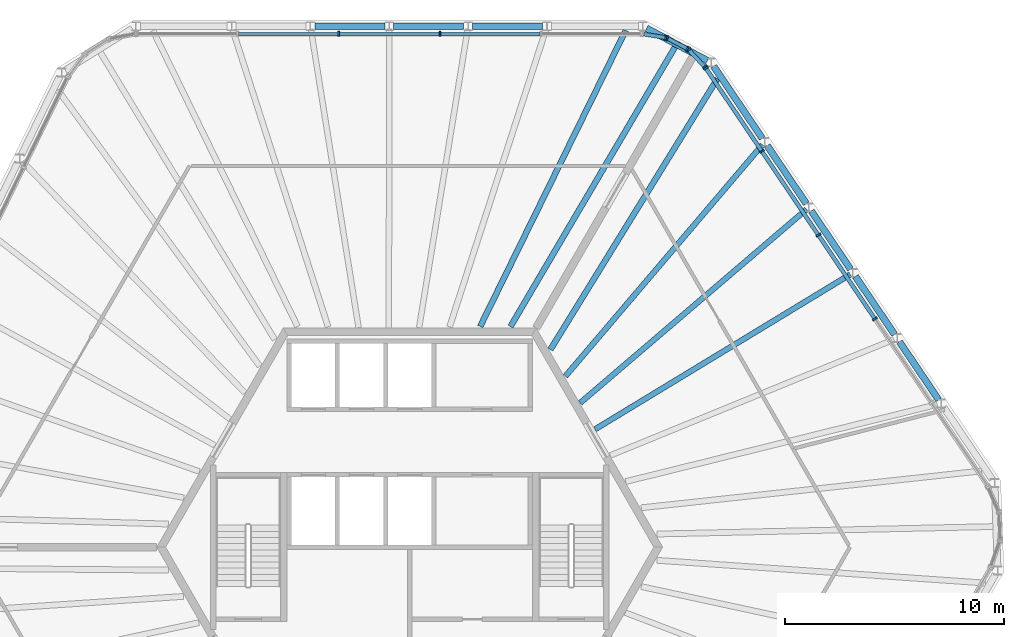
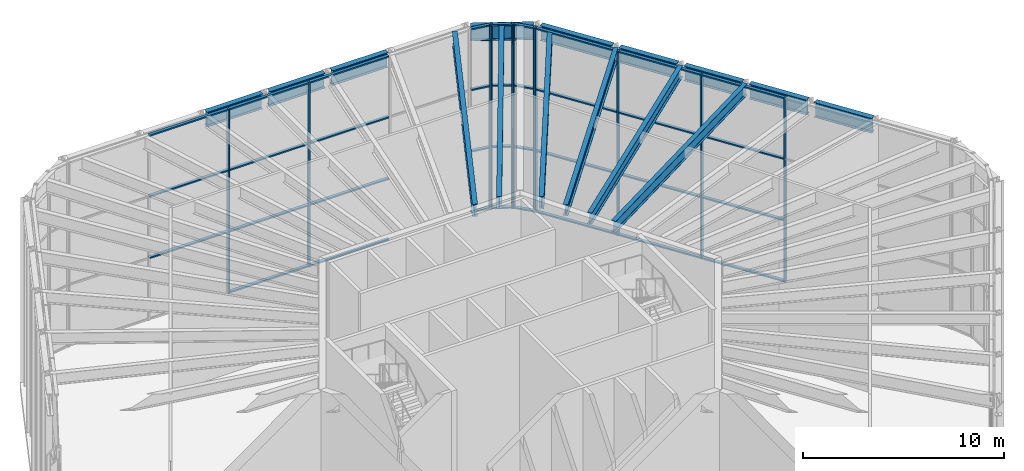
# One storey, part 8 of 17: 46 members, 15 beams, 5 elements without a shape of their own.
"""IFC4 building model written with IfcOpenShell, lengths in metres."""

from ifc_helpers import new_model, si_unit, direction, frame, origin, origin_2d, place, context, subcontext, project, spatial, rectangle, i_section, extrude, material, material_profile, profile_set, type_object, element, aggregate, save


model = new_model("IFC4")

# Units and contexts
model_context = context("Model", 3, precision=1e-05, world=origin(), true_north=direction((0.0, 1.0)))
body_context = subcontext(model_context, "Body", "Model", "MODEL_VIEW")
ifc_project = project(units=[si_unit("LENGTHUNIT", "METRE"), si_unit("AREAUNIT", "SQUARE_METRE"), si_unit("VOLUMEUNIT", "CUBIC_METRE"), si_unit("PLANEANGLEUNIT", "RADIAN"), si_unit("MASSUNIT", "GRAM", prefix="KILO")], contexts=[model_context])

# Site, building, storey
site_placement = place(None, origin())
site = spatial("IfcSite", under=ifc_project, at=site_placement, CompositionType="ELEMENT")
building_placement = place(site_placement, origin())
building = spatial("IfcBuilding", under=site, at=building_placement, Name="Tarnside Tower", CompositionType="ELEMENT")
storey_placement = place(building_placement, frame((0.0, 0.0, 376.800048828125)))
storey = spatial("IfcBuildingStorey", under=building, at=storey_placement, Name="L91", CompositionType="ELEMENT", Elevation=376.800048828125)

# Curtain wall, members
ifc_material_1 = material(Name="Damper hall glazing wall", Category="glass")
curtain_wall_type = type_object("IfcCurtainWallType", Name="Damper hall glazing wall", PredefinedType="NOTDEFINED", material=ifc_material_1)
curtain_wall_1_placement = place(storey_placement, origin())
curtain_wall_1 = element("IfcCurtainWall", 1, at=curtain_wall_1_placement, inside=storey, type_object=curtain_wall_type, Name="Damper hall glazing L91 00", PredefinedType="NOTDEFINED")
ifc_material_2 = material(Name="Aluminium alloy 6063", Category="aluminium")
ifc_material_profile_1 = material_profile(ifc_material_2, rectangle(XDim=0.239990234375, YDim=0.080078125, at=origin_2d()), Name="Damper hall glazing mullion 80 x 240")
ifc_profile_set_1 = profile_set([ifc_material_profile_1], Name="Aluminium alloy 6063")
member_type_1 = type_object("IfcMemberType", Name="Damper hall glazing mullion 80 x 240", PredefinedType="MULLION", material=ifc_profile_set_1)
member_1_placement = place(storey_placement, frame((-3.23681640625, 23.429931640625, 0.0), z_axis=(0.0, 0.0, 1.0), x_axis=(0.0, 1.0, 0.0)))
member_1 = element("IfcMember", 2, at=member_1_placement, type_object=member_type_1, Name="CW5 mullion 3", PredefinedType="MULLION", context=body_context, shape_type="SweptSolid", body=[
    extrude(rectangle(XDim=0.239990234375, YDim=0.080078125, at=origin_2d()), origin(), (0.0, 0.0, 1.0), 11.199951171875),
])
member_2_placement = place(storey_placement, frame((1.37744140625, 23.429931640625, 0.0), z_axis=(0.0, 0.0, 1.0), x_axis=(0.0, 1.0, 0.0)))
member_2 = element("IfcMember", 3, at=member_2_placement, type_object=member_type_1, Name="CW5 mullion 4", PredefinedType="MULLION", context=body_context, shape_type="SweptSolid", body=[
    extrude(rectangle(XDim=0.239990234375, YDim=0.080078125, at=origin_2d()), origin(), (0.0, 0.0, 1.0), 11.199951171875),
])

# Curtain wall, member
curtain_wall_2_placement = place(storey_placement, origin())
curtain_wall_2 = element("IfcCurtainWall", 4, at=curtain_wall_2_placement, inside=storey, type_object=curtain_wall_type, Name="Damper hall glazing L91 01", PredefinedType="NOTDEFINED")
member_3_placement = place(storey_placement, frame((11.691162109375, 23.251708984375, 0.0), z_axis=(0.0, 0.0, 1.0), x_axis=(0.162177922807, 0.986761532162, 0.0)))
member_3 = element("IfcMember", 5, at=member_3_placement, type_object=member_type_1, Name="CW5 mullion 2", PredefinedType="MULLION", context=body_context, shape_type="SweptSolid", body=[
    extrude(rectangle(XDim=0.239990234375, YDim=0.080078125, at=origin_2d()), origin(), (0.0, 0.0, 1.0), 11.199951171875),
])

# Curtain wall, members
curtain_wall_3_placement = place(storey_placement, origin())
curtain_wall_3 = element("IfcCurtainWall", 6, at=curtain_wall_3_placement, inside=storey, type_object=curtain_wall_type, Name="Damper hall glazing L91 02", PredefinedType="NOTDEFINED")
member_4_placement = place(storey_placement, frame((11.765869140625, 23.226318359375, 0.0), z_axis=(0.0, 0.0, 1.0), x_axis=(0.46947156277, 0.882947592867, 0.0)))
member_4 = element("IfcMember", 7, at=member_4_placement, type_object=member_type_1, Name="CW5 mullion 1", PredefinedType="MULLION", context=body_context, shape_type="SweptSolid", body=[
    extrude(rectangle(XDim=0.239990234375, YDim=0.080078125, at=origin_2d()), origin(), (0.0, 0.0, 1.0), 11.199951171875),
])
member_5_placement = place(storey_placement, frame((12.67626953125, 22.742431640625, 0.0), z_axis=(0.0, 0.0, 1.0), x_axis=(0.46947156277, 0.882947592867, 0.0)))
member_5 = element("IfcMember", 8, at=member_5_placement, type_object=member_type_1, Name="CW5 mullion 2", PredefinedType="MULLION", context=body_context, shape_type="SweptSolid", body=[
    extrude(rectangle(XDim=0.239990234375, YDim=0.080078125, at=origin_2d()), origin(), (0.0, 0.0, 1.0), 11.199951171875),
])

curtain_wall_4_placement = place(storey_placement, origin())
curtain_wall_4 = element("IfcCurtainWall", 9, at=curtain_wall_4_placement, inside=storey, type_object=curtain_wall_type, Name="Damper hall glazing L91 03", PredefinedType="NOTDEFINED")
member_6_placement = place(storey_placement, frame((12.739013671875, 22.694580078125, 0.0), z_axis=(0.0, 0.0, 1.0), x_axis=(0.727373641888, 0.686241637534, 0.0)))
member_6 = element("IfcMember", 10, at=member_6_placement, type_object=member_type_1, Name="CW5 mullion 1", PredefinedType="MULLION", context=body_context, shape_type="SweptSolid", body=[
    extrude(rectangle(XDim=0.239990234375, YDim=0.080078125, at=origin_2d()), origin(), (0.0, 0.0, 1.0), 11.199951171875),
])
member_7_placement = place(storey_placement, frame((13.466064453125, 21.923828125, 0.0), z_axis=(0.0, 0.0, 1.0), x_axis=(0.727373641888, 0.686241637534, 0.0)))
member_7 = element("IfcMember", 11, at=member_7_placement, type_object=member_type_1, Name="CW5 mullion 2", PredefinedType="MULLION", context=body_context, shape_type="SweptSolid", body=[
    extrude(rectangle(XDim=0.239990234375, YDim=0.080078125, at=origin_2d()), origin(), (0.0, 0.0, 1.0), 11.199951171875),
])

curtain_wall_5_placement = place(storey_placement, origin())
curtain_wall_5 = element("IfcCurtainWall", 12, at=curtain_wall_5_placement, inside=storey, type_object=curtain_wall_type, Name="Damper hall glazing L91 04", PredefinedType="NOTDEFINED")
member_8_placement = place(storey_placement, frame((13.515869140625, 21.861572265625, 0.0), z_axis=(0.0, 0.0, 1.0), x_axis=(0.829037572545, 0.559192903485, 0.0)))
member_8 = element("IfcMember", 13, at=member_8_placement, type_object=member_type_1, Name="CW5 mullion 1", PredefinedType="MULLION", context=body_context, shape_type="SweptSolid", body=[
    extrude(rectangle(XDim=0.239990234375, YDim=0.080078125, at=origin_2d()), origin(), (0.0, 0.0, 1.0), 11.199951171875),
])
member_9_placement = place(storey_placement, frame((16.07373046875, 18.0693359375, 0.0), z_axis=(0.0, 0.0, 1.0), x_axis=(0.829037572545, 0.559192903485, 0.0)))
member_9 = element("IfcMember", 14, at=member_9_placement, type_object=member_type_1, Name="CW5 mullion 2", PredefinedType="MULLION", context=body_context, shape_type="SweptSolid", body=[
    extrude(rectangle(XDim=0.239990234375, YDim=0.080078125, at=origin_2d()), origin(), (0.0, 0.0, 1.0), 11.199951171875),
])
member_10_placement = place(storey_placement, frame((18.654052734375, 14.243896484375, 0.0), z_axis=(0.0, 0.0, 1.0), x_axis=(0.829037572545, 0.559192903485, 0.0)))
member_10 = element("IfcMember", 15, at=member_10_placement, type_object=member_type_1, Name="CW5 mullion 3", PredefinedType="MULLION", context=body_context, shape_type="SweptSolid", body=[
    extrude(rectangle(XDim=0.239990234375, YDim=0.080078125, at=origin_2d()), origin(), (0.0, 0.0, 1.0), 11.199951171875),
])
member_11_placement = place(storey_placement, frame((21.234375, 10.41845703125, 0.0), z_axis=(0.0, 0.0, 1.0), x_axis=(0.829037572545, 0.559192903485, 0.0)))
member_11 = element("IfcMember", 16, at=member_11_placement, type_object=member_type_1, Name="CW5 mullion 4", PredefinedType="MULLION", context=body_context, shape_type="SweptSolid", body=[
    extrude(rectangle(XDim=0.239990234375, YDim=0.080078125, at=origin_2d()), origin(), (0.0, 0.0, 1.0), 11.199951171875),
])

# Member
ifc_material_profile_2 = material_profile(ifc_material_2, rectangle(XDim=0.179931640625, YDim=0.080078125, at=origin_2d()), Name="Damper hall glazing transom 80 x 180")
ifc_profile_set_2 = profile_set([ifc_material_profile_2], Name="Aluminium alloy 6063")
member_type_2 = type_object("IfcMemberType", Name="Damper hall glazing transom 80 x 180", PredefinedType="USERDEFINED", material=ifc_profile_set_2)
member_12_placement = place(storey_placement, frame((-7.81103515625, 23.429931640625, 3.733154296875), z_axis=(1.0, 0.0, 0.0), x_axis=(0.0, 1.0, 0.0)))
member_12 = element("IfcMember", 17, at=member_12_placement, type_object=member_type_2, Name="CW5 transom 2.2", ObjectType="TRANSOM", PredefinedType="USERDEFINED", context=body_context, shape_type="SweptSolid", body=[
    extrude(rectangle(XDim=0.179931640625, YDim=0.080078125, at=origin_2d()), origin(), (0.0, 0.0, 1.0), 4.534423828125),
])

member_13_placement = place(storey_placement, frame((-7.81103515625, 23.429931640625, 7.466552734375), z_axis=(1.0, 0.0, 0.0), x_axis=(0.0, 1.0, 0.0)))
member_13 = element("IfcMember", 18, at=member_13_placement, type_object=member_type_2, Name="CW5 transom 2.3", ObjectType="TRANSOM", PredefinedType="USERDEFINED", context=body_context, shape_type="SweptSolid", body=[
    extrude(rectangle(XDim=0.179931640625, YDim=0.080078125, at=origin_2d()), origin(), (0.0, 0.0, 1.0), 4.534423828125),
])

member_14_placement = place(storey_placement, frame((-7.81103515625, 23.429931640625, 11.159912109375), z_axis=(1.0, 0.0, 0.0), x_axis=(0.0, 1.0, 0.0)))
member_14 = element("IfcMember", 19, at=member_14_placement, type_object=member_type_2, Name="CW5 transom 2.4", ObjectType="TRANSOM", PredefinedType="USERDEFINED", context=body_context, shape_type="SweptSolid", body=[
    extrude(rectangle(XDim=0.179931640625, YDim=0.080078125, at=origin_2d()), origin(), (0.0, 0.0, 1.0), 4.534423828125),
])

member_15_placement = place(storey_placement, frame((-3.19677734375, 23.429931640625, 0.0400390625), z_axis=(1.0, 0.0, 0.0), x_axis=(0.0, 1.0, 0.0)))
member_15 = element("IfcMember", 20, at=member_15_placement, type_object=member_type_2, Name="CW5 transom 3.1", ObjectType="TRANSOM", PredefinedType="USERDEFINED", context=body_context, shape_type="SweptSolid", body=[
    extrude(rectangle(XDim=0.179931640625, YDim=0.080078125, at=origin_2d()), origin(), (0.0, 0.0, 1.0), 4.534423828125),
])

member_16_placement = place(storey_placement, frame((-3.19677734375, 23.429931640625, 3.733154296875), z_axis=(1.0, 0.0, 0.0), x_axis=(0.0, 1.0, 0.0)))
member_16 = element("IfcMember", 21, at=member_16_placement, type_object=member_type_2, Name="CW5 transom 3.2", ObjectType="TRANSOM", PredefinedType="USERDEFINED", context=body_context, shape_type="SweptSolid", body=[
    extrude(rectangle(XDim=0.179931640625, YDim=0.080078125, at=origin_2d()), origin(), (0.0, 0.0, 1.0), 4.534423828125),
])

member_17_placement = place(storey_placement, frame((-3.19677734375, 23.429931640625, 7.466552734375), z_axis=(1.0, 0.0, 0.0), x_axis=(0.0, 1.0, 0.0)))
member_17 = element("IfcMember", 22, at=member_17_placement, type_object=member_type_2, Name="CW5 transom 3.3", ObjectType="TRANSOM", PredefinedType="USERDEFINED", context=body_context, shape_type="SweptSolid", body=[
    extrude(rectangle(XDim=0.179931640625, YDim=0.080078125, at=origin_2d()), origin(), (0.0, 0.0, 1.0), 4.534423828125),
])

member_18_placement = place(storey_placement, frame((-3.19677734375, 23.429931640625, 11.159912109375), z_axis=(1.0, 0.0, 0.0), x_axis=(0.0, 1.0, 0.0)))
member_18 = element("IfcMember", 23, at=member_18_placement, type_object=member_type_2, Name="CW5 transom 3.4", ObjectType="TRANSOM", PredefinedType="USERDEFINED", context=body_context, shape_type="SweptSolid", body=[
    extrude(rectangle(XDim=0.179931640625, YDim=0.080078125, at=origin_2d()), origin(), (0.0, 0.0, 1.0), 4.534423828125),
])

member_19_placement = place(storey_placement, frame((1.41748046875, 23.429931640625, 0.0400390625), z_axis=(1.0, 0.0, 0.0), x_axis=(0.0, 1.0, 0.0)))
member_19 = element("IfcMember", 24, at=member_19_placement, type_object=member_type_2, Name="CW5 transom 4.1", ObjectType="TRANSOM", PredefinedType="USERDEFINED", context=body_context, shape_type="SweptSolid", body=[
    extrude(rectangle(XDim=0.179931640625, YDim=0.080078125, at=origin_2d()), origin(), (0.0, 0.0, 1.0), 4.534423828125),
])

member_20_placement = place(storey_placement, frame((1.41748046875, 23.429931640625, 3.733154296875), z_axis=(1.0, 0.0, 0.0), x_axis=(0.0, 1.0, 0.0)))
member_20 = element("IfcMember", 25, at=member_20_placement, type_object=member_type_2, Name="CW5 transom 4.2", ObjectType="TRANSOM", PredefinedType="USERDEFINED", context=body_context, shape_type="SweptSolid", body=[
    extrude(rectangle(XDim=0.179931640625, YDim=0.080078125, at=origin_2d()), origin(), (0.0, 0.0, 1.0), 4.534423828125),
])

member_21_placement = place(storey_placement, frame((1.41748046875, 23.429931640625, 7.466552734375), z_axis=(1.0, 0.0, 0.0), x_axis=(0.0, 1.0, 0.0)))
member_21 = element("IfcMember", 26, at=member_21_placement, type_object=member_type_2, Name="CW5 transom 4.3", ObjectType="TRANSOM", PredefinedType="USERDEFINED", context=body_context, shape_type="SweptSolid", body=[
    extrude(rectangle(XDim=0.179931640625, YDim=0.080078125, at=origin_2d()), origin(), (0.0, 0.0, 1.0), 4.534423828125),
])

member_22_placement = place(storey_placement, frame((1.41748046875, 23.429931640625, 11.159912109375), z_axis=(1.0, 0.0, 0.0), x_axis=(0.0, 1.0, 0.0)))
member_22 = element("IfcMember", 27, at=member_22_placement, type_object=member_type_2, Name="CW5 transom 4.4", ObjectType="TRANSOM", PredefinedType="USERDEFINED", context=body_context, shape_type="SweptSolid", body=[
    extrude(rectangle(XDim=0.179931640625, YDim=0.080078125, at=origin_2d()), origin(), (0.0, 0.0, 1.0), 4.534423828125),
])

aggregate(curtain_wall_1, [member_1, member_2, member_12, member_13, member_14, member_15, member_16, member_17, member_18, member_19, member_20, member_21, member_22])

member_23_placement = place(storey_placement, frame((10.68505859375, 23.4169921875, 0.0400390625), z_axis=(0.986748619973, -0.162256466684, 0.0), x_axis=(0.162256466684, 0.986748619973, 0.0)))
member_23 = element("IfcMember", 28, at=member_23_placement, type_object=member_type_2, Name="CW5 transom 1.1", ObjectType="TRANSOM", PredefinedType="USERDEFINED", context=body_context, shape_type="SweptSolid", body=[
    extrude(rectangle(XDim=0.179931640625, YDim=0.080078125, at=origin_2d()), origin(), (0.0, 0.0, 1.0), 0.9794921875),
])

member_24_placement = place(storey_placement, frame((10.68505859375, 23.4169921875, 3.733154296875), z_axis=(0.986748619973, -0.162256466684, 0.0), x_axis=(0.162256466684, 0.986748619973, 0.0)))
member_24 = element("IfcMember", 29, at=member_24_placement, type_object=member_type_2, Name="CW5 transom 1.2", ObjectType="TRANSOM", PredefinedType="USERDEFINED", context=body_context, shape_type="SweptSolid", body=[
    extrude(rectangle(XDim=0.179931640625, YDim=0.080078125, at=origin_2d()), origin(), (0.0, 0.0, 1.0), 0.9794921875),
])

member_25_placement = place(storey_placement, frame((10.68505859375, 23.4169921875, 7.466552734375), z_axis=(0.986748619973, -0.162256466684, 0.0), x_axis=(0.162256466684, 0.986748619973, 0.0)))
member_25 = element("IfcMember", 30, at=member_25_placement, type_object=member_type_2, Name="CW5 transom 1.3", ObjectType="TRANSOM", PredefinedType="USERDEFINED", context=body_context, shape_type="SweptSolid", body=[
    extrude(rectangle(XDim=0.179931640625, YDim=0.080078125, at=origin_2d()), origin(), (0.0, 0.0, 1.0), 0.9794921875),
])

member_26_placement = place(storey_placement, frame((10.68505859375, 23.4169921875, 11.159912109375), z_axis=(0.986748619973, -0.162256466684, 0.0), x_axis=(0.162256466684, 0.986748619973, 0.0)))
member_26 = element("IfcMember", 31, at=member_26_placement, type_object=member_type_2, Name="CW5 transom 1.4", ObjectType="TRANSOM", PredefinedType="USERDEFINED", context=body_context, shape_type="SweptSolid", body=[
    extrude(rectangle(XDim=0.179931640625, YDim=0.080078125, at=origin_2d()), origin(), (0.0, 0.0, 1.0), 0.9794921875),
])

aggregate(curtain_wall_2, [member_3, member_23, member_24, member_25, member_26])

member_27_placement = place(storey_placement, frame((11.80126953125, 23.20751953125, 0.0400390625), z_axis=(0.883005989508, -0.46936171818, 0.0), x_axis=(0.46936171818, 0.883005989508, 0.0)))
member_27 = element("IfcMember", 32, at=member_27_placement, type_object=member_type_2, Name="CW5 transom 1.1", ObjectType="TRANSOM", PredefinedType="USERDEFINED", context=body_context, shape_type="SweptSolid", body=[
    extrude(rectangle(XDim=0.179931640625, YDim=0.080078125, at=origin_2d()), origin(), (0.0, 0.0, 1.0), 0.950927734375),
])

member_28_placement = place(storey_placement, frame((11.80126953125, 23.20751953125, 3.733154296875), z_axis=(0.883005989508, -0.46936171818, 0.0), x_axis=(0.46936171818, 0.883005989508, 0.0)))
member_28 = element("IfcMember", 33, at=member_28_placement, type_object=member_type_2, Name="CW5 transom 1.2", ObjectType="TRANSOM", PredefinedType="USERDEFINED", context=body_context, shape_type="SweptSolid", body=[
    extrude(rectangle(XDim=0.179931640625, YDim=0.080078125, at=origin_2d()), origin(), (0.0, 0.0, 1.0), 0.950927734375),
])

member_29_placement = place(storey_placement, frame((11.80126953125, 23.20751953125, 7.466552734375), z_axis=(0.883005989508, -0.46936171818, 0.0), x_axis=(0.46936171818, 0.883005989508, 0.0)))
member_29 = element("IfcMember", 34, at=member_29_placement, type_object=member_type_2, Name="CW5 transom 1.3", ObjectType="TRANSOM", PredefinedType="USERDEFINED", context=body_context, shape_type="SweptSolid", body=[
    extrude(rectangle(XDim=0.179931640625, YDim=0.080078125, at=origin_2d()), origin(), (0.0, 0.0, 1.0), 0.950927734375),
])

member_30_placement = place(storey_placement, frame((11.80126953125, 23.20751953125, 11.159912109375), z_axis=(0.883005989508, -0.46936171818, 0.0), x_axis=(0.46936171818, 0.883005989508, 0.0)))
member_30 = element("IfcMember", 35, at=member_30_placement, type_object=member_type_2, Name="CW5 transom 1.4", ObjectType="TRANSOM", PredefinedType="USERDEFINED", context=body_context, shape_type="SweptSolid", body=[
    extrude(rectangle(XDim=0.179931640625, YDim=0.080078125, at=origin_2d()), origin(), (0.0, 0.0, 1.0), 0.950927734375),
])

aggregate(curtain_wall_3, [member_4, member_5, member_27, member_28, member_29, member_30])

member_31_placement = place(storey_placement, frame((12.766357421875, 22.665283203125, 0.0400390625), z_axis=(0.686374671045, -0.727248108246, 0.0), x_axis=(0.727248108246, 0.686374671045, 0.0)))
member_31 = element("IfcMember", 36, at=member_31_placement, type_object=member_type_2, Name="CW5 transom 1.1", ObjectType="TRANSOM", PredefinedType="USERDEFINED", context=body_context, shape_type="SweptSolid", body=[
    extrude(rectangle(XDim=0.179931640625, YDim=0.080078125, at=origin_2d()), origin(), (0.0, 0.0, 1.0), 0.9794921875),
])

member_32_placement = place(storey_placement, frame((12.766357421875, 22.665283203125, 3.733154296875), z_axis=(0.686374671045, -0.727248108246, 0.0), x_axis=(0.727248108246, 0.686374671045, 0.0)))
member_32 = element("IfcMember", 37, at=member_32_placement, type_object=member_type_2, Name="CW5 transom 1.2", ObjectType="TRANSOM", PredefinedType="USERDEFINED", context=body_context, shape_type="SweptSolid", body=[
    extrude(rectangle(XDim=0.179931640625, YDim=0.080078125, at=origin_2d()), origin(), (0.0, 0.0, 1.0), 0.9794921875),
])

member_33_placement = place(storey_placement, frame((12.766357421875, 22.665283203125, 7.466552734375), z_axis=(0.686374671045, -0.727248108246, 0.0), x_axis=(0.727248108246, 0.686374671045, 0.0)))
member_33 = element("IfcMember", 38, at=member_33_placement, type_object=member_type_2, Name="CW5 transom 1.3", ObjectType="TRANSOM", PredefinedType="USERDEFINED", context=body_context, shape_type="SweptSolid", body=[
    extrude(rectangle(XDim=0.179931640625, YDim=0.080078125, at=origin_2d()), origin(), (0.0, 0.0, 1.0), 0.9794921875),
])

member_34_placement = place(storey_placement, frame((12.766357421875, 22.665283203125, 11.159912109375), z_axis=(0.686374671045, -0.727248108246, 0.0), x_axis=(0.727248108246, 0.686374671045, 0.0)))
member_34 = element("IfcMember", 39, at=member_34_placement, type_object=member_type_2, Name="CW5 transom 1.4", ObjectType="TRANSOM", PredefinedType="USERDEFINED", context=body_context, shape_type="SweptSolid", body=[
    extrude(rectangle(XDim=0.179931640625, YDim=0.080078125, at=origin_2d()), origin(), (0.0, 0.0, 1.0), 0.9794921875),
])

aggregate(curtain_wall_4, [member_6, member_7, member_31, member_32, member_33, member_34])

member_35_placement = place(storey_placement, frame((13.538330078125, 21.828369140625, 0.0400390625), z_axis=(0.559205057404, -0.829029374494, 0.0), x_axis=(0.829029374494, 0.559205057404, 0.0)))
member_35 = element("IfcMember", 40, at=member_35_placement, type_object=member_type_2, Name="CW5 transom 1.1", ObjectType="TRANSOM", PredefinedType="USERDEFINED", context=body_context, shape_type="SweptSolid", body=[
    extrude(rectangle(XDim=0.179931640625, YDim=0.080078125, at=origin_2d()), origin(), (0.0, 0.0, 1.0), 4.494140625),
])

member_36_placement = place(storey_placement, frame((13.538330078125, 21.828369140625, 3.733154296875), z_axis=(0.559205057404, -0.829029374494, 0.0), x_axis=(0.829029374494, 0.559205057404, 0.0)))
member_36 = element("IfcMember", 41, at=member_36_placement, type_object=member_type_2, Name="CW5 transom 1.2", ObjectType="TRANSOM", PredefinedType="USERDEFINED", context=body_context, shape_type="SweptSolid", body=[
    extrude(rectangle(XDim=0.179931640625, YDim=0.080078125, at=origin_2d()), origin(), (0.0, 0.0, 1.0), 4.494140625),
])

member_37_placement = place(storey_placement, frame((13.538330078125, 21.828369140625, 7.466552734375), z_axis=(0.559205057404, -0.829029374494, 0.0), x_axis=(0.829029374494, 0.559205057404, 0.0)))
member_37 = element("IfcMember", 42, at=member_37_placement, type_object=member_type_2, Name="CW5 transom 1.3", ObjectType="TRANSOM", PredefinedType="USERDEFINED", context=body_context, shape_type="SweptSolid", body=[
    extrude(rectangle(XDim=0.179931640625, YDim=0.080078125, at=origin_2d()), origin(), (0.0, 0.0, 1.0), 4.494140625),
])

member_38_placement = place(storey_placement, frame((13.538330078125, 21.828369140625, 11.159912109375), z_axis=(0.559205057404, -0.829029374494, 0.0), x_axis=(0.829029374494, 0.559205057404, 0.0)))
member_38 = element("IfcMember", 43, at=member_38_placement, type_object=member_type_2, Name="CW5 transom 1.4", ObjectType="TRANSOM", PredefinedType="USERDEFINED", context=body_context, shape_type="SweptSolid", body=[
    extrude(rectangle(XDim=0.179931640625, YDim=0.080078125, at=origin_2d()), origin(), (0.0, 0.0, 1.0), 4.494140625),
])

member_39_placement = place(storey_placement, frame((16.09619140625, 18.0361328125, 0.0400390625), z_axis=(0.559177817796, -0.829047747771, 0.0), x_axis=(0.829047747771, 0.559177817796, 0.0)))
member_39 = element("IfcMember", 44, at=member_39_placement, type_object=member_type_2, Name="CW5 transom 2.1", ObjectType="TRANSOM", PredefinedType="USERDEFINED", context=body_context, shape_type="SweptSolid", body=[
    extrude(rectangle(XDim=0.179931640625, YDim=0.080078125, at=origin_2d()), origin(), (0.0, 0.0, 1.0), 4.5341796875),
])

member_40_placement = place(storey_placement, frame((16.09619140625, 18.0361328125, 3.733154296875), z_axis=(0.559177817796, -0.829047747771, 0.0), x_axis=(0.829047747771, 0.559177817796, 0.0)))
member_40 = element("IfcMember", 45, at=member_40_placement, type_object=member_type_2, Name="CW5 transom 2.2", ObjectType="TRANSOM", PredefinedType="USERDEFINED", context=body_context, shape_type="SweptSolid", body=[
    extrude(rectangle(XDim=0.179931640625, YDim=0.080078125, at=origin_2d()), origin(), (0.0, 0.0, 1.0), 4.5341796875),
])

member_41_placement = place(storey_placement, frame((16.09619140625, 18.0361328125, 7.466552734375), z_axis=(0.559177817796, -0.829047747771, 0.0), x_axis=(0.829047747771, 0.559177817796, 0.0)))
member_41 = element("IfcMember", 46, at=member_41_placement, type_object=member_type_2, Name="CW5 transom 2.3", ObjectType="TRANSOM", PredefinedType="USERDEFINED", context=body_context, shape_type="SweptSolid", body=[
    extrude(rectangle(XDim=0.179931640625, YDim=0.080078125, at=origin_2d()), origin(), (0.0, 0.0, 1.0), 4.5341796875),
])

member_42_placement = place(storey_placement, frame((16.09619140625, 18.0361328125, 11.159912109375), z_axis=(0.559177817796, -0.829047747771, 0.0), x_axis=(0.829047747771, 0.559177817796, 0.0)))
member_42 = element("IfcMember", 47, at=member_42_placement, type_object=member_type_2, Name="CW5 transom 2.4", ObjectType="TRANSOM", PredefinedType="USERDEFINED", context=body_context, shape_type="SweptSolid", body=[
    extrude(rectangle(XDim=0.179931640625, YDim=0.080078125, at=origin_2d()), origin(), (0.0, 0.0, 1.0), 4.5341796875),
])

member_43_placement = place(storey_placement, frame((18.676513671875, 14.210693359375, 0.0400390625), z_axis=(0.559177817796, -0.829047747771, 0.0), x_axis=(0.829047747771, 0.559177817796, 0.0)))
member_43 = element("IfcMember", 48, at=member_43_placement, type_object=member_type_2, Name="CW5 transom 3.1", ObjectType="TRANSOM", PredefinedType="USERDEFINED", context=body_context, shape_type="SweptSolid", body=[
    extrude(rectangle(XDim=0.179931640625, YDim=0.080078125, at=origin_2d()), origin(), (0.0, 0.0, 1.0), 4.5341796875),
])

member_44_placement = place(storey_placement, frame((18.676513671875, 14.210693359375, 3.733154296875), z_axis=(0.559177817796, -0.829047747771, 0.0), x_axis=(0.829047747771, 0.559177817796, 0.0)))
member_44 = element("IfcMember", 49, at=member_44_placement, type_object=member_type_2, Name="CW5 transom 3.2", ObjectType="TRANSOM", PredefinedType="USERDEFINED", context=body_context, shape_type="SweptSolid", body=[
    extrude(rectangle(XDim=0.179931640625, YDim=0.080078125, at=origin_2d()), origin(), (0.0, 0.0, 1.0), 4.5341796875),
])

member_45_placement = place(storey_placement, frame((18.676513671875, 14.210693359375, 7.466552734375), z_axis=(0.559177817796, -0.829047747771, 0.0), x_axis=(0.829047747771, 0.559177817796, 0.0)))
member_45 = element("IfcMember", 50, at=member_45_placement, type_object=member_type_2, Name="CW5 transom 3.3", ObjectType="TRANSOM", PredefinedType="USERDEFINED", context=body_context, shape_type="SweptSolid", body=[
    extrude(rectangle(XDim=0.179931640625, YDim=0.080078125, at=origin_2d()), origin(), (0.0, 0.0, 1.0), 4.5341796875),
])

member_46_placement = place(storey_placement, frame((18.676513671875, 14.210693359375, 11.159912109375), z_axis=(0.559177817796, -0.829047747771, 0.0), x_axis=(0.829047747771, 0.559177817796, 0.0)))
member_46 = element("IfcMember", 51, at=member_46_placement, type_object=member_type_2, Name="CW5 transom 3.4", ObjectType="TRANSOM", PredefinedType="USERDEFINED", context=body_context, shape_type="SweptSolid", body=[
    extrude(rectangle(XDim=0.179931640625, YDim=0.080078125, at=origin_2d()), origin(), (0.0, 0.0, 1.0), 4.5341796875),
])

aggregate(curtain_wall_5, [member_8, member_9, member_10, member_11, member_35, member_36, member_37, member_38, member_39, member_40, member_41, member_42, member_43, member_44, member_45, member_46])

# Beams
ifc_material_3 = material(Name="Steel S355", Category="steel")
ifc_material_profile_3 = material_profile(ifc_material_3, i_section(OverallWidth=0.2529296875, OverallDepth=0.677978515625, WebThickness=0.01171875, FlangeThickness=0.01611328125, FilletRadius=0.01513671875, at=origin_2d()), Name="UB 686x254x125")
ifc_profile_set_3 = profile_set([ifc_material_profile_3], Name="Steel S355")
beam_type_1 = type_object("IfcBeamType", Name="Floor beam UB 686x254x125", PredefinedType="BEAM", material=ifc_profile_set_3)
beam_1_placement = place(storey_placement, frame((20.111572265625, 12.44970703125, 10.861083984375), z_axis=(-0.854839745762, -0.51889209771, 0.0), x_axis=(0.51889209771, -0.854839745762, 0.0)))
element("IfcBeam", 52, at=beam_1_placement, inside=storey, type_object=beam_type_1, Name="Floor beam F6.04", PredefinedType="BEAM", context=body_context, shape_type="SweptSolid", body=[
    extrude(i_section(OverallWidth=0.2529296875, OverallDepth=0.677978515625, WebThickness=0.01171875, FlangeThickness=0.01611328125, FilletRadius=0.01513671875, at=origin_2d()), origin(), (0.0, 0.0, 1.0), 13.625244140625),
])
beam_2_placement = place(storey_placement, frame((18.111083984375, 15.41552734375, 10.861083984375), z_axis=(-0.760009783109, -0.64991163213, 0.0), x_axis=(0.64991163213, -0.760009783109, 0.0)))
element("IfcBeam", 53, at=beam_2_placement, inside=storey, type_object=beam_type_1, Name="Floor beam F6.05", PredefinedType="BEAM", context=body_context, shape_type="SweptSolid", body=[
    extrude(i_section(OverallWidth=0.2529296875, OverallDepth=0.677978515625, WebThickness=0.01171875, FlangeThickness=0.01611328125, FilletRadius=0.01513671875, at=origin_2d()), origin(), (0.0, 0.0, 1.0), 13.58203125),
])
beam_3_placement = place(storey_placement, frame((16.098388671875, 18.3662109375, 10.861083984375), z_axis=(-0.648068247357, -0.761582265266, 0.0), x_axis=(0.761582265266, -0.648068247357, 0.0)))
element("IfcBeam", 54, at=beam_3_placement, inside=storey, type_object=beam_type_1, Name="Floor beam F6.06", PredefinedType="BEAM", context=body_context, shape_type="SweptSolid", body=[
    extrude(i_section(OverallWidth=0.2529296875, OverallDepth=0.677978515625, WebThickness=0.01171875, FlangeThickness=0.01611328125, FilletRadius=0.01513671875, at=origin_2d()), origin(), (0.0, 0.0, 1.0), 13.872314453125),
])
ifc_material_profile_4 = material_profile(ifc_material_3, i_section(OverallWidth=0.26513671875, OverallDepth=0.75390625, WebThickness=0.0126953125, FlangeThickness=0.017578125, FilletRadius=0.0166015625, at=origin_2d()), Name="UB 762x267x147")
ifc_profile_set_4 = profile_set([ifc_material_profile_4], Name="Steel S355")
beam_type_2 = type_object("IfcBeamType", Name="Floor beam UB 762x267x147", PredefinedType="BEAM", material=ifc_profile_set_4)
beam_4_placement = place(storey_placement, frame((9.85693359375, 23.583251953125, 10.822998046875), z_axis=(-0.441034060351, -0.897490366305, 0.0), x_axis=(0.897490366305, -0.441034060351, 0.0)))
element("IfcBeam", 55, at=beam_4_placement, inside=storey, type_object=beam_type_2, Name="Floor beam F1.01", PredefinedType="BEAM", context=body_context, shape_type="SweptSolid", body=[
    extrude(i_section(OverallWidth=0.26513671875, OverallDepth=0.75390625, WebThickness=0.0126953125, FlangeThickness=0.017578125, FilletRadius=0.0166015625, at=origin_2d()), origin(), (0.0, 0.0, 1.0), 15.0546875),
])
beam_5_placement = place(storey_placement, frame((14.045166015625, 21.381591796875, 10.822998046875), z_axis=(-0.524782759488, -0.851236192455, 0.0), x_axis=(0.851236192455, -0.524782759488, 0.0)))
element("IfcBeam", 56, at=beam_5_placement, inside=storey, type_object=beam_type_2, Name="Floor beam F6.07", PredefinedType="BEAM", context=body_context, shape_type="SweptSolid", body=[
    extrude(i_section(OverallWidth=0.26513671875, OverallDepth=0.75390625, WebThickness=0.0126953125, FlangeThickness=0.017578125, FilletRadius=0.0166015625, at=origin_2d()), origin(), (0.0, 0.0, 1.0), 14.525634765625),
])
beam_6_placement = place(storey_placement, frame((12.11279296875, 22.830078125, 10.822998046875), z_axis=(-0.507325584169, -0.861754461345, 0.0), x_axis=(0.861754461345, -0.507325584169, 0.0)))
element("IfcBeam", 57, at=beam_6_placement, inside=storey, type_object=beam_type_2, Name="Floor beam C6", PredefinedType="BEAM", context=body_context, shape_type="SweptSolid", body=[
    extrude(i_section(OverallWidth=0.26513671875, OverallDepth=0.75390625, WebThickness=0.0126953125, FlangeThickness=0.017578125, FilletRadius=0.0166015625, at=origin_2d()), origin(), (0.0, 0.0, 1.0), 14.808349609375),
])
ifc_material_profile_5 = material_profile(ifc_material_3, i_section(OverallWidth=0.30322265625, OverallDepth=0.903076171875, WebThickness=0.01513671875, FlangeThickness=0.020263671875, FilletRadius=0.01904296875, at=origin_2d()), Name="UB 914x305x201")
ifc_profile_set_5 = profile_set([ifc_material_profile_5], Name="Steel S355")
beam_type_3 = type_object("IfcBeamType", Name="Perimeter girder UB 914x305x201", PredefinedType="BEAM", material=ifc_profile_set_5)
for number, where, z_axis, x_axis, name in (
    (58, (6.06689453125, 23.77490234375, 10.74853515625), (-1.0, 0.0, 0.0), (0.0, -1.0, 0.0), "Perimeter girder R2"),
    (59, (2.466796875, 23.77490234375, 10.74853515625), (-1.0, 0.0, 0.0), (0.0, -1.0, 0.0), "Perimeter girder R3"),
    (60, (-1.133056640625, 23.77490234375, 10.74853515625), (-1.0, 0.0, 0.0), (0.0, -1.0, 0.0), "Perimeter girder R4"),
):
    element("IfcBeam", number, at=place(storey_placement, frame(where, z_axis=z_axis, x_axis=x_axis)), inside=storey, type_object=beam_type_3, Name=name, PredefinedType="BEAM", context=body_context, shape_type="SweptSolid", body=[
        extrude(i_section(OverallWidth=0.30322265625, OverallDepth=0.903076171875, WebThickness=0.01513671875, FlangeThickness=0.020263671875, FilletRadius=0.01904296875, at=origin_2d()), origin(), (0.0, 0.0, 1.0), 3.197021484375),
    ])
beam_7_placement = place(storey_placement, frame((24.144775390625, 6.720458984375, 10.74853515625), z_axis=(-0.559168524635, 0.829054015766, 0.0), x_axis=(-0.829054015766, -0.559168524635, 0.0)))
element("IfcBeam", 61, at=beam_7_placement, inside=storey, type_object=beam_type_3, Name="Perimeter girder R37", PredefinedType="BEAM", context=body_context, shape_type="SweptSolid", body=[
    extrude(i_section(OverallWidth=0.30322265625, OverallDepth=0.903076171875, WebThickness=0.01513671875, FlangeThickness=0.020263671875, FilletRadius=0.01904296875, at=origin_2d()), origin(), (0.0, 0.0, 1.0), 3.19677734375),
])
beam_8_placement = place(storey_placement, frame((22.1318359375, 9.705078125, 10.74853515625), z_axis=(-0.559221011524, 0.829018612741, 0.0), x_axis=(-0.829018612741, -0.559221011524, 0.0)))
element("IfcBeam", 62, at=beam_8_placement, inside=storey, type_object=beam_type_3, Name="Perimeter girder R38", PredefinedType="BEAM", context=body_context, shape_type="SweptSolid", body=[
    extrude(i_section(OverallWidth=0.30322265625, OverallDepth=0.903076171875, WebThickness=0.01513671875, FlangeThickness=0.020263671875, FilletRadius=0.01904296875, at=origin_2d()), origin(), (0.0, 0.0, 1.0), 3.197021484375),
])
beam_9_placement = place(storey_placement, frame((20.11865234375, 12.689453125, 10.74853515625), z_axis=(-0.55918561008, 0.829042491962, 0.0), x_axis=(-0.829042491962, -0.55918561008, 0.0)))
element("IfcBeam", 63, at=beam_9_placement, inside=storey, type_object=beam_type_3, Name="Perimeter girder R39", PredefinedType="BEAM", context=body_context, shape_type="SweptSolid", body=[
    extrude(i_section(OverallWidth=0.30322265625, OverallDepth=0.903076171875, WebThickness=0.01513671875, FlangeThickness=0.020263671875, FilletRadius=0.01904296875, at=origin_2d()), origin(), (0.0, 0.0, 1.0), 3.197265625),
])
beam_10_placement = place(storey_placement, frame((18.10546875, 15.674072265625, 10.74853515625), z_axis=(-0.559168524635, 0.829054015766, 0.0), x_axis=(-0.829054015766, -0.559168524635, 0.0)))
element("IfcBeam", 64, at=beam_10_placement, inside=storey, type_object=beam_type_3, Name="Perimeter girder R40", PredefinedType="BEAM", context=body_context, shape_type="SweptSolid", body=[
    extrude(i_section(OverallWidth=0.30322265625, OverallDepth=0.903076171875, WebThickness=0.01513671875, FlangeThickness=0.020263671875, FilletRadius=0.01904296875, at=origin_2d()), origin(), (0.0, 0.0, 1.0), 3.19677734375),
])
beam_11_placement = place(storey_placement, frame((16.092529296875, 18.65869140625, 10.74853515625), z_axis=(-0.559227345693, 0.829014339942, 0.0), x_axis=(-0.829014339942, -0.559227345693, 0.0)))
element("IfcBeam", 65, at=beam_11_placement, inside=storey, type_object=beam_type_3, Name="Perimeter girder R41", PredefinedType="BEAM", context=body_context, shape_type="SweptSolid", body=[
    extrude(i_section(OverallWidth=0.30322265625, OverallDepth=0.903076171875, WebThickness=0.01513671875, FlangeThickness=0.020263671875, FilletRadius=0.01904296875, at=origin_2d()), origin(), (0.0, 0.0, 1.0), 3.962646484375),
])
beam_12_placement = place(storey_placement, frame((13.5859375, 22.20556640625, 10.74853515625), z_axis=(-0.882956694831, 0.469454444066, 0.0), x_axis=(-0.469454444066, -0.882956694831, 0.0)))
element("IfcBeam", 66, at=beam_12_placement, inside=storey, type_object=beam_type_3, Name="Perimeter girder R42", PredefinedType="BEAM", context=body_context, shape_type="SweptSolid", body=[
    extrude(i_section(OverallWidth=0.30322265625, OverallDepth=0.903076171875, WebThickness=0.01513671875, FlangeThickness=0.020263671875, FilletRadius=0.01904296875, at=origin_2d()), origin(), (0.0, 0.0, 1.0), 3.1416015625),
])

save(model, "model.ifc")
